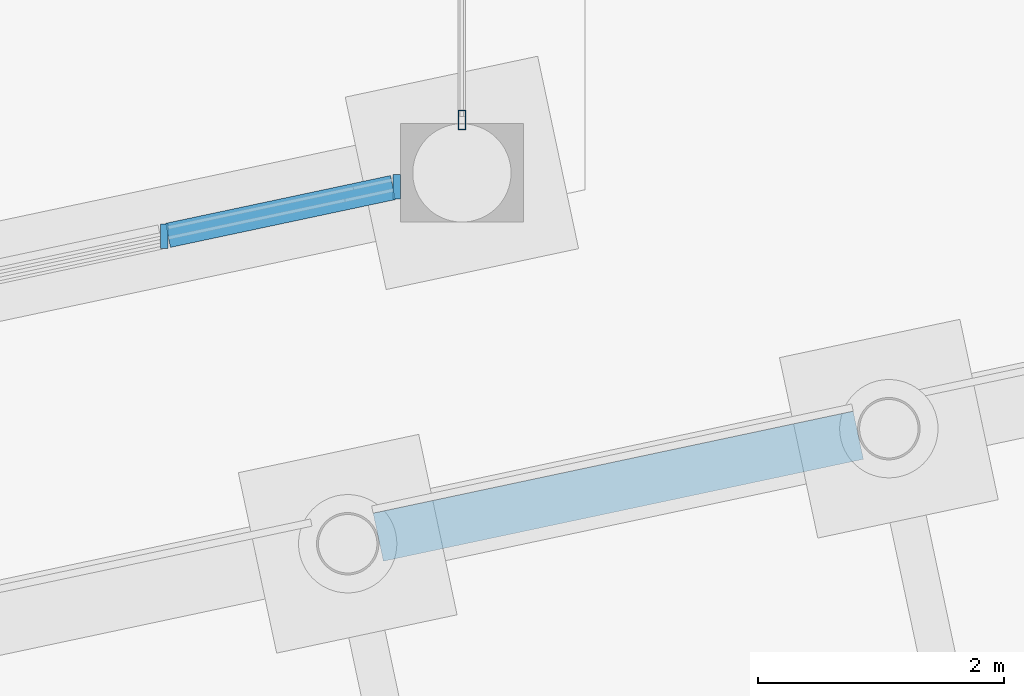
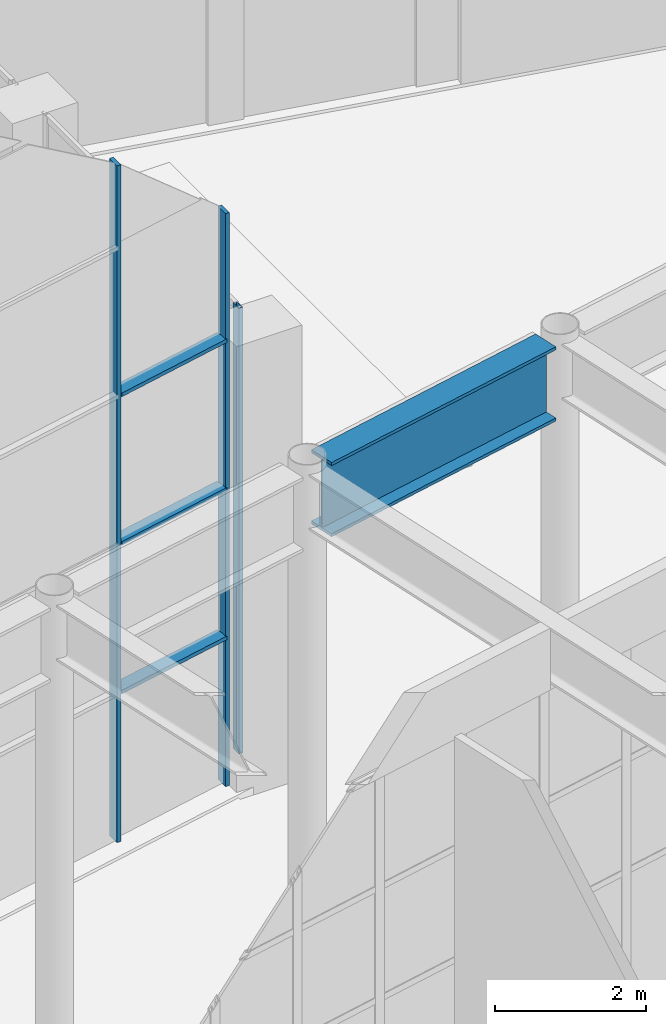
# One storey, part 111 of 239: 6 members, 1 beam, 2 elements without a shape of their own.
"""IFC4 building model written with IfcOpenShell, lengths in metres."""

import ifcopenshell
import ifcopenshell.guid

model = None  # the IFC model being written
_history = None  # IfcOwnerHistory: only IFC2X3 demands one
_inside = {}  # id of a spatial element -> (the spatial element, [elements in it])
_under = {}  # id of a project, library or spatial element -> (it, [spatial elements below it])
_declared = {}  # id of a project -> (the project, [libraries it declares])
_typed = {}  # id of a type object -> (the type object, [elements of that type])
_made_of = {}  # id of a material, layer set ... -> (it, [elements and type objects made of it])


def new_model(schema):
    """Start an empty IFC model of exactly this schema.

    Asked for "IFC4X3", IfcOpenShell would pick the latest addendum, in which some entities
    have other attributes; the version numbers below select the first issue.
    IFC2X3 requires an IfcOwnerHistory on every rooted entity: one is made here for all.
    """
    global model, _history
    if schema == "IFC4X3":
        model = ifcopenshell.file(schema_version=(4, 3, 0, 0))
    else:
        model = ifcopenshell.file(schema=schema)
    _inside.clear()
    _under.clear()
    _declared.clear()
    _typed.clear()
    _made_of.clear()
    _history = None
    if model.schema == "IFC2X3":
        org = make("IfcOrganization", Name="unknown")
        user = make(
            "IfcPersonAndOrganization",
            ThePerson=make("IfcPerson", FamilyName="unknown"),
            TheOrganization=org,
        )
        app = make(
            "IfcApplication",
            ApplicationDeveloper=org,
            Version="unknown",
            ApplicationFullName="unknown",
            ApplicationIdentifier="unknown",
        )
        _history = make(
            "IfcOwnerHistory",
            OwningUser=user,
            OwningApplication=app,
            ChangeAction="ADDED",
            CreationDate=0,
        )
    return model


def make(cls, **values):
    """One entity of the class cls with the attributes given. An attribute that is None is left unset."""
    return model.create_entity(
        cls, **{name: value for name, value in values.items() if value is not None}
    )


def rooted(cls, **values):
    """An entity with a GlobalId (a new one), such as an element, a storey or a relation."""
    return make(cls, GlobalId=ifcopenshell.guid.new(), OwnerHistory=_history, **values)


def si_unit(unit_type, name, prefix=None):
    """IfcSIUnit, for example si_unit("LENGTHUNIT", "METRE", prefix="MILLI")."""
    return make("IfcSIUnit", UnitType=unit_type, Prefix=prefix, Name=name)


def assignment(units):
    """IfcUnitAssignment: the units of a project."""
    return None if units is None else make("IfcUnitAssignment", Units=units)


def point(xyz):
    """IfcCartesianPoint."""
    return None if xyz is None else make("IfcCartesianPoint", Coordinates=xyz)


def direction(xyz):
    """IfcDirection."""
    return None if xyz is None else make("IfcDirection", DirectionRatios=xyz)


def frame(location, z_axis=None, x_axis=None):
    """IfcAxis2Placement3D, a coordinate frame: its origin and axes. An axis left out is left unset."""
    return make(
        "IfcAxis2Placement3D",
        Location=point(location),
        Axis=direction(z_axis),
        RefDirection=direction(x_axis),
    )


def frame_2d(location, x_axis=None):
    """IfcAxis2Placement2D, a coordinate frame in the plane: its origin and x axis."""
    return make(
        "IfcAxis2Placement2D", Location=point(location), RefDirection=direction(x_axis)
    )


def origin():
    """The frame at (0, 0, 0) with its axes left unset."""
    return frame((0.0, 0.0, 0.0))


def origin_2d():
    """The frame at (0, 0) in the plane with its x axis left unset."""
    return frame_2d((0.0, 0.0))


def place(relative_to, where):
    """IfcLocalPlacement: puts the frame where relative to a parent placement (None: the world)."""
    return make(
        "IfcLocalPlacement", PlacementRelTo=relative_to, RelativePlacement=where
    )


def context(
    kind, dimensions, precision=None, world=None, true_north=None, identifier=None
):
    """IfcGeometricRepresentationContext, for example the 3D "Model" context."""
    return make(
        "IfcGeometricRepresentationContext",
        ContextIdentifier=identifier,
        ContextType=kind,
        CoordinateSpaceDimension=dimensions,
        Precision=precision,
        WorldCoordinateSystem=world,
        TrueNorth=true_north,
    )


def subcontext(parent, identifier, kind, view, scale=None):
    """IfcGeometricRepresentationSubContext, for example "Body" below "Model"."""
    return make(
        "IfcGeometricRepresentationSubContext",
        ContextIdentifier=identifier,
        ContextType=kind,
        ParentContext=parent,
        TargetScale=scale,
        TargetView=view,
    )


def project(units=None, contexts=None):
    """IfcProject with its units and contexts."""
    return rooted(
        "IfcProject",
        Name="project",
        RepresentationContexts=contexts,
        UnitsInContext=assignment(units),
    )


def spatial(cls, under=None, at=None, **own):
    """A site, building, storey or space (cls), placed at a placement, below another one or the project."""
    s = rooted(cls, ObjectPlacement=at, **own)
    if under is not None:
        _under.setdefault(under.id(), (under, []))[1].append(s)
    return s


def profile(cls, at=None, kind="AREA", **sizes):
    """A parametric profile (cls). Its sizes go by their IFC names, for example OverallWidth=200.0."""
    return make(cls, ProfileType=kind, Position=at, **sizes)


def rectangle(**sizes):
    """IfcRectangleProfileDef."""
    return profile("IfcRectangleProfileDef", **sizes)


def hollow_rectangle(**sizes):
    """IfcRectangleHollowProfileDef."""
    return profile("IfcRectangleHollowProfileDef", **sizes)


def i_section(**sizes):
    """IfcIShapeProfileDef."""
    return profile("IfcIShapeProfileDef", **sizes)


def extrude(swept, where, along, depth):
    """IfcExtrudedAreaSolid: the profile swept, set in the frame where, extruded along a direction by depth."""
    return make(
        "IfcExtrudedAreaSolid",
        SweptArea=swept,
        Position=where,
        ExtrudedDirection=direction(along),
        Depth=depth,
    )


def shape(context_of_items, identifier, shape_type, items):
    """IfcShapeRepresentation: the items that make up one representation, for example the "Body"."""
    return make(
        "IfcShapeRepresentation",
        ContextOfItems=context_of_items,
        RepresentationIdentifier=identifier,
        RepresentationType=shape_type,
        Items=items,
    )


def material(Name=None, Category=None):
    """IfcMaterial."""
    return make("IfcMaterial", Name=Name, Category=Category)


def material_profile(
    of_material, cross_section, Name=None, Category=None, Priority=None
):
    """IfcMaterialProfile: a cross section and its material."""
    return make(
        "IfcMaterialProfile",
        Name=Name,
        Material=of_material,
        Profile=cross_section,
        Priority=Priority,
        Category=Category,
    )


def profile_set(profiles, Name=None, composite=None):
    """IfcMaterialProfileSet."""
    return make(
        "IfcMaterialProfileSet",
        Name=Name,
        MaterialProfiles=profiles,
        CompositeProfile=composite,
    )


def made_of(thing, what):
    """Note that an element or type object is made of a material, layer set ...; save() writes the relation."""
    if what is not None:
        _made_of.setdefault(what.id(), (what, []))[1].append(thing)
    return thing


def type_object(cls, material=None, **own):
    """A type object (cls), such as IfcWallType, which elements share."""
    return made_of(rooted(cls, **own), material)


def element(
    cls,
    number,
    at=None,
    inside=None,
    cuts=None,
    type_object=None,
    material=None,
    context=None,
    identifier="Body",
    shape_type=None,
    held_by="IfcProductDefinitionShape",
    body=None,
    shapes=None,
    **own,
):
    """One element of the class cls, such as IfcWall. Its Tag is "e" and its number.

    at: its placement. inside: the storey or other place that contains it. cuts: it is an
    opening in that element (IfcRelVoidsElement). A single representation is given by context,
    identifier, shape_type and body (its items); several are given by shapes. held_by: the class
    of the entity that holds the representations. save() writes the other relations.
    """
    e = rooted(cls, Tag="e%d" % number, ObjectPlacement=at, **own)
    if body is not None:
        shapes = [shape(context, identifier, shape_type, body)]
    if shapes is not None:
        e.Representation = make(held_by, Representations=shapes)
    if inside is not None:
        _inside.setdefault(inside.id(), (inside, []))[1].append(e)
    if cuts is not None:
        rooted(
            "IfcRelVoidsElement", RelatingBuildingElement=cuts, RelatedOpeningElement=e
        )
    if type_object is not None:
        _typed.setdefault(type_object.id(), (type_object, []))[1].append(e)
    return made_of(e, material)


def aggregate(whole, parts):
    """IfcRelAggregates: a whole, such as a stair, and the parts it consists of."""
    return rooted("IfcRelAggregates", RelatingObject=whole, RelatedObjects=parts)


def save(model, path):
    """Write the relations noted so far, then the file.

    IfcRelAggregates (storeys below a building ...), IfcRelContainedInSpatialStructure (elements
    in a storey), IfcRelDefinesByType, IfcRelAssociatesMaterial and IfcRelDeclares: one each for
    every whole, place, type object, material and project.
    """
    for whole, parts in _under.values():
        aggregate(whole, parts)
    for where, things in _inside.values():
        rooted(
            "IfcRelContainedInSpatialStructure",
            RelatedElements=things,
            RelatingStructure=where,
        )
    for kind, things in _typed.values():
        rooted("IfcRelDefinesByType", RelatedObjects=things, RelatingType=kind)
    for what, things in _made_of.values():
        rooted("IfcRelAssociatesMaterial", RelatedObjects=things, RelatingMaterial=what)
    for by, libraries in _declared.values():
        rooted("IfcRelDeclares", RelatingContext=by, RelatedDefinitions=libraries)
    model.write(path)


model = new_model("IFC4")

# Units and contexts
model_context = context("Model", 3, precision=1e-05, world=origin(), true_north=direction((0.0, 1.0)))
body_context = subcontext(model_context, "Body", "Model", "MODEL_VIEW")
ifc_project = project(units=[si_unit("LENGTHUNIT", "METRE"), si_unit("AREAUNIT", "SQUARE_METRE"), si_unit("VOLUMEUNIT", "CUBIC_METRE"), si_unit("PLANEANGLEUNIT", "RADIAN"), si_unit("MASSUNIT", "GRAM", prefix="KILO")], contexts=[model_context])

# Site, building, storey
site_placement = place(None, origin())
site = spatial("IfcSite", under=ifc_project, at=site_placement, CompositionType="ELEMENT")
building_placement = place(site_placement, origin())
building = spatial("IfcBuilding", under=site, at=building_placement, Name="Okhra Congress Centre", CompositionType="ELEMENT")
storey_placement = place(building_placement, origin())
storey = spatial("IfcBuildingStorey", under=building, at=storey_placement, Name="L00", CompositionType="ELEMENT", Elevation=0.0)

# Curtain wall, members
ifc_material_1 = material(Name="Aluminium frame with triple glazing", Category="aluminium")
curtain_wall_type_1 = type_object("IfcCurtainWallType", Name="Glazed gable curtain wall", PredefinedType="NOTDEFINED", material=ifc_material_1)
curtain_wall_1_placement = place(storey_placement, origin())
curtain_wall_1 = element("IfcCurtainWall", 1, at=curtain_wall_1_placement, inside=storey, type_object=curtain_wall_type_1, Name="South gable glazing", PredefinedType="NOTDEFINED")
ifc_material_2 = material(Name="Aluminium alloy 6063", Category="aluminium")
ifc_material_profile_1 = material_profile(ifc_material_2, rectangle(XDim=0.06005859375, YDim=0.199951171875, at=origin_2d()), Name="AL 60x200 gable")
ifc_profile_set_1 = profile_set([ifc_material_profile_1], Name="Aluminium alloy 6063")
member_type_1 = type_object("IfcMemberType", Name="Aluminium gable mullion 60x200", PredefinedType="MULLION", material=ifc_profile_set_1)
member_1_placement = place(storey_placement, frame((186.5791015625, 80.8544921875, 0.0), z_axis=(0.0, 0.0, 1.0), x_axis=(1.0, 0.0, 0.0)))
member_1 = element("IfcMember", 2, at=member_1_placement, type_object=member_type_1, Name="South gable glazing mullion 12", PredefinedType="MULLION", context=body_context, shape_type="SweptSolid", body=[
    extrude(rectangle(XDim=0.06005859375, YDim=0.199951171875, at=origin_2d()), origin(), (0.0, 0.0, 1.0), 10.93212890625),
])
member_2_placement = place(storey_placement, frame((188.469970703125, 81.256591796875, 0.0), z_axis=(0.0, 0.0, 1.0), x_axis=(1.0, 0.0, 0.0)))
member_2 = element("IfcMember", 3, at=member_2_placement, type_object=member_type_1, Name="South gable glazing mullion 13", PredefinedType="MULLION", context=body_context, shape_type="SweptSolid", body=[
    extrude(rectangle(XDim=0.06005859375, YDim=0.199951171875, at=origin_2d()), origin(), (0.0, 0.0, 1.0), 9.254150390625),
])
ifc_material_profile_2 = material_profile(ifc_material_2, rectangle(XDim=0.199951171875, YDim=0.06005859375, at=origin_2d()), Name="AL 200x60 gable transom")
ifc_profile_set_2 = profile_set([ifc_material_profile_2], Name="Aluminium alloy 6063")
member_type_2 = type_object("IfcMemberType", Name="Aluminium gable transom 200x60", PredefinedType="USERDEFINED", material=ifc_profile_set_2)
member_3_placement = place(storey_placement, frame((186.60888671875, 80.86083984375, 2.39990234375), z_axis=(0.978152221193, 0.207889952078, 0.0), x_axis=(-0.207889952078, 0.978152221193, 0.0)))
member_3 = element("IfcMember", 4, at=member_3_placement, type_object=member_type_2, Name="South gable glazing transom 12.1", ObjectType="TRANSOM", PredefinedType="USERDEFINED", context=body_context, shape_type="SweptSolid", body=[
    extrude(rectangle(XDim=0.199951171875, YDim=0.06005859375, at=origin_2d()), origin(), (0.0, 0.0, 1.0), 1.8720703125),
])
member_4_placement = place(storey_placement, frame((186.60888671875, 80.86083984375, 4.800048828125), z_axis=(0.978152221193, 0.207889952078, 0.0), x_axis=(-0.207889952078, 0.978152221193, 0.0)))
member_4 = element("IfcMember", 5, at=member_4_placement, type_object=member_type_2, Name="South gable glazing transom 12.2", ObjectType="TRANSOM", PredefinedType="USERDEFINED", context=body_context, shape_type="SweptSolid", body=[
    extrude(rectangle(XDim=0.199951171875, YDim=0.06005859375, at=origin_2d()), origin(), (0.0, 0.0, 1.0), 1.8720703125),
])
member_5_placement = place(storey_placement, frame((186.60888671875, 80.86083984375, 7.199951171875), z_axis=(0.978152221193, 0.207889952078, 0.0), x_axis=(-0.207889952078, 0.978152221193, 0.0)))
member_5 = element("IfcMember", 6, at=member_5_placement, type_object=member_type_2, Name="South gable glazing transom 12.3", ObjectType="TRANSOM", PredefinedType="USERDEFINED", context=body_context, shape_type="SweptSolid", body=[
    extrude(rectangle(XDim=0.199951171875, YDim=0.06005859375, at=origin_2d()), origin(), (0.0, 0.0, 1.0), 1.8720703125),
])
aggregate(curtain_wall_1, [member_1, member_2, member_3, member_4, member_5])

# Curtain wall, member
ifc_material_3 = material(Name="Aluminium curtain wall, triple glazing", Category="aluminium")
curtain_wall_type_2 = type_object("IfcCurtainWallType", Name="Curtain wall 2100 module", PredefinedType="NOTDEFINED", material=ifc_material_3)
curtain_wall_2_placement = place(storey_placement, origin())
curtain_wall_2 = element("IfcCurtainWall", 7, at=curtain_wall_2_placement, inside=storey, type_object=curtain_wall_type_2, Name="East bay 1 glazing", PredefinedType="NOTDEFINED")
ifc_material_4 = material(Name="Aluminium alloy EN AW-6063 T66", Category="aluminium")
ifc_material_profile_3 = material_profile(ifc_material_4, hollow_rectangle(XDim=0.06005859375, YDim=0.159912109375, WallThickness=0.00390625, at=origin_2d()), Name="RHS 60x160x4")
ifc_profile_set_3 = profile_set([ifc_material_profile_3], Name="Aluminium alloy EN AW-6063 T66")
member_type_3 = type_object("IfcMemberType", Name="Curtain wall mullion 60x160", PredefinedType="MULLION", material=ifc_profile_set_3)
member_6_placement = place(storey_placement, frame((189.0, 81.799072265625, 0.0), z_axis=(0.0, 0.0, 1.0), x_axis=(-1.0, 0.0, 0.0)))
member_6 = element("IfcMember", 8, at=member_6_placement, type_object=member_type_3, Name="CW4 mullion 1", PredefinedType="MULLION", context=body_context, shape_type="SweptSolid", body=[
    extrude(hollow_rectangle(XDim=0.06005859375, YDim=0.159912109375, WallThickness=0.00390625, at=origin_2d()), origin(), (0.0, 0.0, 1.0), 7.199951171875),
])
aggregate(curtain_wall_2, [member_6])

# Beam
ifc_material_5 = material(Name="Steel S355J2", Category="steel")
ifc_material_profile_4 = material_profile(ifc_material_5, i_section(OverallWidth=0.39990234375, OverallDepth=1.199951171875, WebThickness=0.02490234375, FlangeThickness=0.050048828125, at=origin_2d()), Name="Plate girder 1200x400")
ifc_profile_set_4 = profile_set([ifc_material_profile_4], Name="Steel S355J2")
beam_type = type_object("IfcBeamType", Name="Perimeter plate girder 1200x400", PredefinedType="BEAM", material=ifc_profile_set_4)
beam_placement = place(storey_placement, frame((188.319580078125, 78.40576171875, 6.449951171875), z_axis=(0.978155431297, 0.207874847504, 0.0), x_axis=(-0.207874847504, 0.978155431297, 0.0)))
element("IfcBeam", 9, at=beam_placement, inside=storey, type_object=beam_type, Name="Perimeter girder N28", PredefinedType="BEAM", context=body_context, shape_type="SweptSolid", body=[
    extrude(i_section(OverallWidth=0.39990234375, OverallDepth=1.199951171875, WebThickness=0.02490234375, FlangeThickness=0.050048828125, at=origin_2d()), origin(), (0.0, 0.0, 1.0), 3.991943359375),
])

save(model, "model.ifc")
